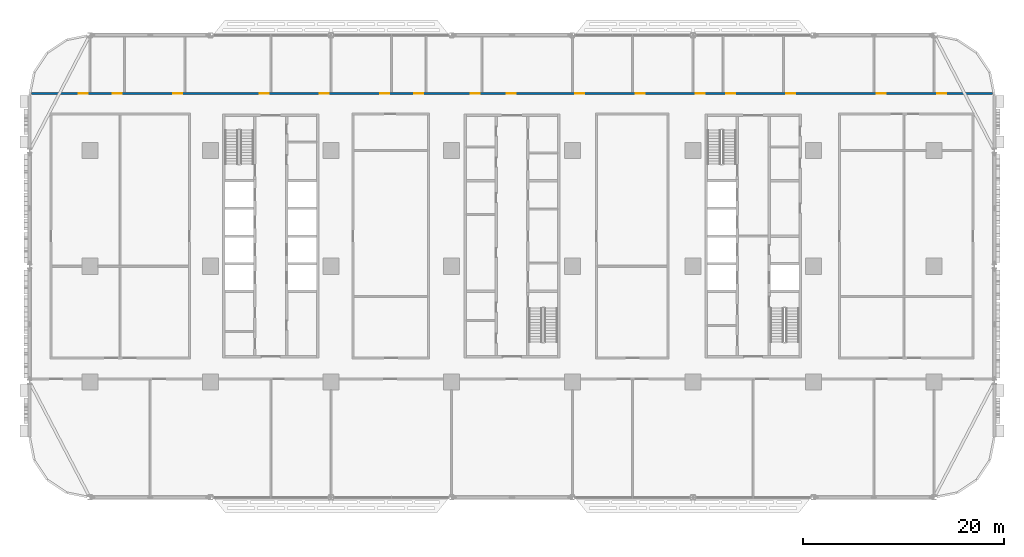
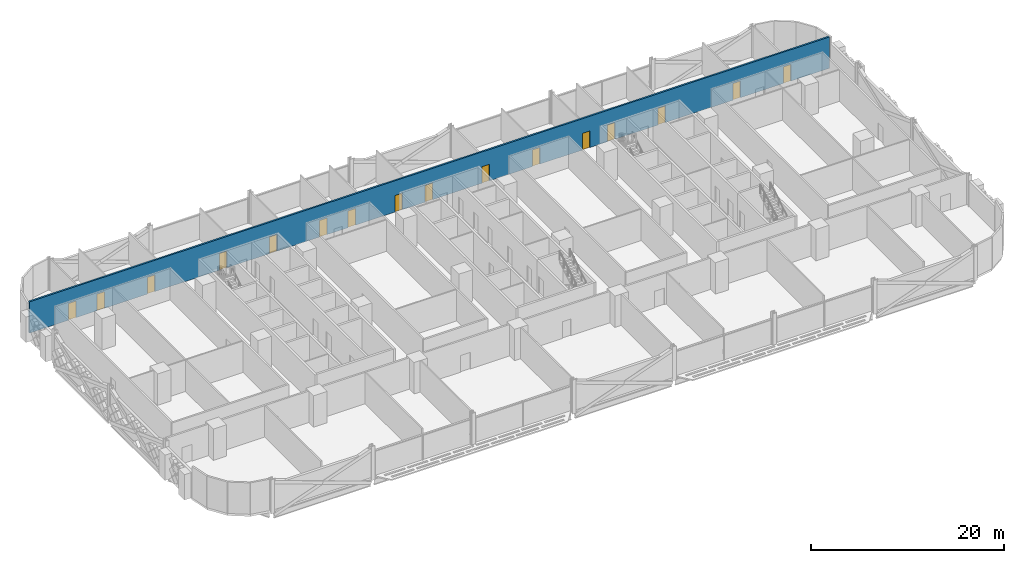
# One storey, part 13 of 28: 16 doors, 1 wall, 16 openings.
"""IFC4 building model written with IfcOpenShell, lengths in metres."""

from ifc_helpers import new_model, si_unit, direction, frame, frame_2d, origin, place, context, subcontext, project, spatial, rectangle, extrude, material, layer, layer_set, type_object, element, fill, save


model = new_model("IFC4")

# Units and contexts
model_context = context("Model", 3, precision=1e-05, world=origin(), true_north=direction((0.0, 1.0)))
body_context = subcontext(model_context, "Body", "Model", "MODEL_VIEW")
ifc_project = project(units=[si_unit("LENGTHUNIT", "METRE"), si_unit("AREAUNIT", "SQUARE_METRE"), si_unit("VOLUMEUNIT", "CUBIC_METRE"), si_unit("PLANEANGLEUNIT", "RADIAN"), si_unit("MASSUNIT", "GRAM", prefix="KILO")], contexts=[model_context])

# Site, building, storey
site_placement = place(None, origin())
site = spatial("IfcSite", under=ifc_project, at=site_placement, CompositionType="ELEMENT")
building_placement = place(site_placement, origin())
building = spatial("IfcBuilding", under=site, at=building_placement, Name="Mahtab Terrace Research Tower", CompositionType="ELEMENT")
storey_placement = place(building_placement, frame((0.0, 0.0, 33.0)))
storey = spatial("IfcBuildingStorey", under=building, at=storey_placement, Name="L07", CompositionType="ELEMENT", Elevation=33.0)

# Wall, openings, doors
ifc_material_1 = material(Name="Gypsum board corridor wall on steel studs", Category="steel")
ifc_layer = layer(ifc_material_1, 0.199951171875)
ifc_layer_set = layer_set([ifc_layer], Name="WALL CORRIDOR 200")
wall_type = type_object("IfcWallType", Name="WALL CORRIDOR 200", PredefinedType="PARTITIONING", material=ifc_layer_set)
wall_placement = place(storey_placement, frame((-47.807373046875, 17.199951171875, 0.0), z_axis=(0.0, 0.0, 1.0), x_axis=(1.0, 0.0, 0.0)))
wall = element("IfcWall", 1, at=wall_placement, inside=storey, type_object=wall_type, Name="L07-W026", PredefinedType="PARTITIONING", context=body_context, shape_type="SweptSolid", body=[
    extrude(rectangle(XDim=95.61474609375, YDim=0.199951171875, at=frame_2d((47.807373046875, 0.0))), origin(), (0.0, 0.0, 1.0), 3.9599609375),
])
opening_1_placement = place(wall_placement, frame((4.699951171875, 0.0, 0.0)))
opening_1 = element("IfcOpeningElement", 2, at=opening_1_placement, cuts=wall, Name="Opening L07-126", PredefinedType="OPENING", context=body_context, shape_type="SweptSolid", body=[
    extrude(rectangle(XDim=0.89990234375, YDim=2.10009765625, at=frame_2d((0.449951171875, 1.050048828125))), frame((0.0, 0.10986328125, 0.0), z_axis=(0.0, -1.0, 0.0), x_axis=(1.0, 0.0, 0.0)), (0.0, 0.0, 1.0), 0.219970703125),
])
opening_2_placement = place(wall_placement, frame((8.10009765625, 0.0, 0.0)))
opening_2 = element("IfcOpeningElement", 3, at=opening_2_placement, cuts=wall, Name="Opening L07-127", PredefinedType="OPENING", context=body_context, shape_type="SweptSolid", body=[
    extrude(rectangle(XDim=0.89990234375, YDim=2.10009765625, at=frame_2d((0.449951171875, 1.050048828125))), frame((0.0, 0.10986328125, 0.0), z_axis=(0.0, -1.0, 0.0), x_axis=(1.0, 0.0, 0.0)), (0.0, 0.0, 1.0), 0.219970703125),
])
opening_3_placement = place(wall_placement, frame((14.10009765625, 0.0, 0.0)))
opening_3 = element("IfcOpeningElement", 4, at=opening_3_placement, cuts=wall, Name="Opening L07-128", PredefinedType="OPENING", context=body_context, shape_type="SweptSolid", body=[
    extrude(rectangle(XDim=0.89990234375, YDim=2.10009765625, at=frame_2d((0.449951171875, 1.050048828125))), frame((0.0, 0.10986328125, 0.0), z_axis=(0.0, -1.0, 0.0), x_axis=(1.0, 0.0, 0.0)), (0.0, 0.0, 1.0), 0.219970703125),
])
opening_4_placement = place(wall_placement, frame((22.699951171875, 0.0, 0.0)))
opening_4 = element("IfcOpeningElement", 5, at=opening_4_placement, cuts=wall, Name="Opening L07-129", PredefinedType="OPENING", context=body_context, shape_type="SweptSolid", body=[
    extrude(rectangle(XDim=0.89990234375, YDim=2.10009765625, at=frame_2d((0.449951171875, 1.050048828125))), frame((0.0, 0.10986328125, 0.0), z_axis=(0.0, -1.0, 0.0), x_axis=(1.0, 0.0, 0.0)), (0.0, 0.0, 1.0), 0.219970703125),
])
opening_5_placement = place(wall_placement, frame((28.699951171875, 0.0, 0.0)))
opening_5 = element("IfcOpeningElement", 6, at=opening_5_placement, cuts=wall, Name="Opening L07-130", PredefinedType="OPENING", context=body_context, shape_type="SweptSolid", body=[
    extrude(rectangle(XDim=0.89990234375, YDim=2.10009765625, at=frame_2d((0.449951171875, 1.050048828125))), frame((0.0, 0.10986328125, 0.0), z_axis=(0.0, -1.0, 0.0), x_axis=(1.0, 0.0, 0.0)), (0.0, 0.0, 1.0), 0.219970703125),
])
opening_6_placement = place(wall_placement, frame((34.699951171875, 0.0, 0.0)))
opening_6 = element("IfcOpeningElement", 7, at=opening_6_placement, cuts=wall, Name="Opening L07-131", PredefinedType="OPENING", context=body_context, shape_type="SweptSolid", body=[
    extrude(rectangle(XDim=0.89990234375, YDim=2.10009765625, at=frame_2d((0.449951171875, 1.050048828125))), frame((0.0, 0.10986328125, 0.0), z_axis=(0.0, -1.0, 0.0), x_axis=(1.0, 0.0, 0.0)), (0.0, 0.0, 1.0), 0.219970703125),
])
opening_7_placement = place(wall_placement, frame((38.10009765625, 0.0, 0.0)))
opening_7 = element("IfcOpeningElement", 8, at=opening_7_placement, cuts=wall, Name="Opening L07-132", PredefinedType="OPENING", context=body_context, shape_type="SweptSolid", body=[
    extrude(rectangle(XDim=0.89990234375, YDim=2.10009765625, at=frame_2d((0.449951171875, 1.050048828125))), frame((0.0, 0.10986328125, 0.0), z_axis=(0.0, -1.0, 0.0), x_axis=(1.0, 0.0, 0.0)), (0.0, 0.0, 1.0), 0.219970703125),
])
opening_8_placement = place(wall_placement, frame((43.699951171875, 0.0, 0.0)))
opening_8 = element("IfcOpeningElement", 9, at=opening_8_placement, cuts=wall, Name="Opening L07-133", PredefinedType="OPENING", context=body_context, shape_type="SweptSolid", body=[
    extrude(rectangle(XDim=0.89990234375, YDim=2.10009765625, at=frame_2d((0.449951171875, 1.050048828125))), frame((0.0, 0.10986328125, 0.0), z_axis=(0.0, -1.0, 0.0), x_axis=(1.0, 0.0, 0.0)), (0.0, 0.0, 1.0), 0.219970703125),
])
opening_9_placement = place(wall_placement, frame((47.300048828125, 0.0, 0.0)))
opening_9 = element("IfcOpeningElement", 10, at=opening_9_placement, cuts=wall, Name="Opening L07-134", PredefinedType="OPENING", context=body_context, shape_type="SweptSolid", body=[
    extrude(rectangle(XDim=0.89990234375, YDim=2.10009765625, at=frame_2d((0.449951171875, 1.050048828125))), frame((0.0, 0.10986328125, 0.0), z_axis=(0.0, -1.0, 0.0), x_axis=(1.0, 0.0, 0.0)), (0.0, 0.0, 1.0), 0.219970703125),
])
opening_10_placement = place(wall_placement, frame((54.10009765625, 0.0, 0.0)))
opening_10 = element("IfcOpeningElement", 11, at=opening_10_placement, cuts=wall, Name="Opening L07-135", PredefinedType="OPENING", context=body_context, shape_type="SweptSolid", body=[
    extrude(rectangle(XDim=0.89990234375, YDim=2.10009765625, at=frame_2d((0.449951171875, 1.050048828125))), frame((0.0, 0.10986328125, 0.0), z_axis=(0.0, -1.0, 0.0), x_axis=(1.0, 0.0, 0.0)), (0.0, 0.0, 1.0), 0.219970703125),
])
opening_11_placement = place(wall_placement, frame((60.10009765625, 0.0, 0.0)))
opening_11 = element("IfcOpeningElement", 12, at=opening_11_placement, cuts=wall, Name="Opening L07-136", PredefinedType="OPENING", context=body_context, shape_type="SweptSolid", body=[
    extrude(rectangle(XDim=0.89990234375, YDim=2.10009765625, at=frame_2d((0.449951171875, 1.050048828125))), frame((0.0, 0.10986328125, 0.0), z_axis=(0.0, -1.0, 0.0), x_axis=(1.0, 0.0, 0.0)), (0.0, 0.0, 1.0), 0.219970703125),
])
opening_12_placement = place(wall_placement, frame((66.10009765625, 0.0, 0.0)))
opening_12 = element("IfcOpeningElement", 13, at=opening_12_placement, cuts=wall, Name="Opening L07-137", PredefinedType="OPENING", context=body_context, shape_type="SweptSolid", body=[
    extrude(rectangle(XDim=0.89990234375, YDim=2.10009765625, at=frame_2d((0.449951171875, 1.050048828125))), frame((0.0, 0.10986328125, 0.0), z_axis=(0.0, -1.0, 0.0), x_axis=(1.0, 0.0, 0.0)), (0.0, 0.0, 1.0), 0.219970703125),
])
opening_13_placement = place(wall_placement, frame((69.10009765625, 0.0, 0.0)))
opening_13 = element("IfcOpeningElement", 14, at=opening_13_placement, cuts=wall, Name="Opening L07-138", PredefinedType="OPENING", context=body_context, shape_type="SweptSolid", body=[
    extrude(rectangle(XDim=0.89990234375, YDim=2.10009765625, at=frame_2d((0.449951171875, 1.050048828125))), frame((0.0, 0.10986328125, 0.0), z_axis=(0.0, -1.0, 0.0), x_axis=(1.0, 0.0, 0.0)), (0.0, 0.0, 1.0), 0.219970703125),
])
opening_14_placement = place(wall_placement, frame((75.10009765625, 0.0, 0.0)))
opening_14 = element("IfcOpeningElement", 15, at=opening_14_placement, cuts=wall, Name="Opening L07-139", PredefinedType="OPENING", context=body_context, shape_type="SweptSolid", body=[
    extrude(rectangle(XDim=0.89990234375, YDim=2.10009765625, at=frame_2d((0.449951171875, 1.050048828125))), frame((0.0, 0.10986328125, 0.0), z_axis=(0.0, -1.0, 0.0), x_axis=(1.0, 0.0, 0.0)), (0.0, 0.0, 1.0), 0.219970703125),
])
opening_15_placement = place(wall_placement, frame((84.10009765625, 0.0, 0.0)))
opening_15 = element("IfcOpeningElement", 16, at=opening_15_placement, cuts=wall, Name="Opening L07-140", PredefinedType="OPENING", context=body_context, shape_type="SweptSolid", body=[
    extrude(rectangle(XDim=0.89990234375, YDim=2.10009765625, at=frame_2d((0.449951171875, 1.050048828125))), frame((0.0, 0.10986328125, 0.0), z_axis=(0.0, -1.0, 0.0), x_axis=(1.0, 0.0, 0.0)), (0.0, 0.0, 1.0), 0.219970703125),
])
opening_16_placement = place(wall_placement, frame((90.10009765625, 0.0, 0.0)))
opening_16 = element("IfcOpeningElement", 17, at=opening_16_placement, cuts=wall, Name="Opening L07-141", PredefinedType="OPENING", context=body_context, shape_type="SweptSolid", body=[
    extrude(rectangle(XDim=0.89990234375, YDim=2.10009765625, at=frame_2d((0.449951171875, 1.050048828125))), frame((0.0, 0.10986328125, 0.0), z_axis=(0.0, -1.0, 0.0), x_axis=(1.0, 0.0, 0.0)), (0.0, 0.0, 1.0), 0.219970703125),
])
ifc_material_2 = material(Name="Timber door leaf in steel frame", Category="steel")
door_type = type_object("IfcDoorType", Name="DOOR 0900X2100 FD30S", OperationType="SINGLE_SWING_LEFT", PredefinedType="DOOR", material=ifc_material_2)
door_1_placement = place(opening_1_placement, origin())
door_1 = element("IfcDoor", 18, at=door_1_placement, inside=storey, type_object=door_type, Name="Door L07-126", OperationType="SINGLE_SWING_LEFT", OverallHeight=2.10009765625, OverallWidth=0.89990234375, PredefinedType="DOOR", context=body_context, shape_type="SweptSolid", body=[
    extrude(rectangle(XDim=0.89990234375, YDim=2.10009765625, at=frame_2d((0.449951171875, 1.050048828125))), frame((0.0, 0.02490234375, 0.0), z_axis=(0.0, -1.0, 0.0), x_axis=(1.0, 0.0, 0.0)), (0.0, 0.0, 1.0), 0.050048828125),
])
fill(opening_1, door_1)
door_2_placement = place(opening_2_placement, origin())
door_2 = element("IfcDoor", 19, at=door_2_placement, inside=storey, type_object=door_type, Name="Door L07-127", OperationType="SINGLE_SWING_LEFT", OverallHeight=2.10009765625, OverallWidth=0.89990234375, PredefinedType="DOOR", context=body_context, shape_type="SweptSolid", body=[
    extrude(rectangle(XDim=0.89990234375, YDim=2.10009765625, at=frame_2d((0.449951171875, 1.050048828125))), frame((0.0, 0.02490234375, 0.0), z_axis=(0.0, -1.0, 0.0), x_axis=(1.0, 0.0, 0.0)), (0.0, 0.0, 1.0), 0.050048828125),
])
fill(opening_2, door_2)
door_3_placement = place(opening_3_placement, origin())
door_3 = element("IfcDoor", 20, at=door_3_placement, inside=storey, type_object=door_type, Name="Door L07-128", OperationType="SINGLE_SWING_LEFT", OverallHeight=2.10009765625, OverallWidth=0.89990234375, PredefinedType="DOOR", context=body_context, shape_type="SweptSolid", body=[
    extrude(rectangle(XDim=0.89990234375, YDim=2.10009765625, at=frame_2d((0.449951171875, 1.050048828125))), frame((0.0, 0.02490234375, 0.0), z_axis=(0.0, -1.0, 0.0), x_axis=(1.0, 0.0, 0.0)), (0.0, 0.0, 1.0), 0.050048828125),
])
fill(opening_3, door_3)
door_4_placement = place(opening_4_placement, origin())
door_4 = element("IfcDoor", 21, at=door_4_placement, inside=storey, type_object=door_type, Name="Door L07-129", OperationType="SINGLE_SWING_LEFT", OverallHeight=2.10009765625, OverallWidth=0.89990234375, PredefinedType="DOOR", context=body_context, shape_type="SweptSolid", body=[
    extrude(rectangle(XDim=0.89990234375, YDim=2.10009765625, at=frame_2d((0.449951171875, 1.050048828125))), frame((0.0, 0.02490234375, 0.0), z_axis=(0.0, -1.0, 0.0), x_axis=(1.0, 0.0, 0.0)), (0.0, 0.0, 1.0), 0.050048828125),
])
fill(opening_4, door_4)
door_5_placement = place(opening_5_placement, origin())
door_5 = element("IfcDoor", 22, at=door_5_placement, inside=storey, type_object=door_type, Name="Door L07-130", OperationType="SINGLE_SWING_LEFT", OverallHeight=2.10009765625, OverallWidth=0.89990234375, PredefinedType="DOOR", context=body_context, shape_type="SweptSolid", body=[
    extrude(rectangle(XDim=0.89990234375, YDim=2.10009765625, at=frame_2d((0.449951171875, 1.050048828125))), frame((0.0, 0.02490234375, 0.0), z_axis=(0.0, -1.0, 0.0), x_axis=(1.0, 0.0, 0.0)), (0.0, 0.0, 1.0), 0.050048828125),
])
fill(opening_5, door_5)
door_6_placement = place(opening_6_placement, origin())
door_6 = element("IfcDoor", 23, at=door_6_placement, inside=storey, type_object=door_type, Name="Door L07-131", OperationType="SINGLE_SWING_LEFT", OverallHeight=2.10009765625, OverallWidth=0.89990234375, PredefinedType="DOOR", context=body_context, shape_type="SweptSolid", body=[
    extrude(rectangle(XDim=0.89990234375, YDim=2.10009765625, at=frame_2d((0.449951171875, 1.050048828125))), frame((0.0, 0.02490234375, 0.0), z_axis=(0.0, -1.0, 0.0), x_axis=(1.0, 0.0, 0.0)), (0.0, 0.0, 1.0), 0.050048828125),
])
fill(opening_6, door_6)
door_7_placement = place(opening_7_placement, origin())
door_7 = element("IfcDoor", 24, at=door_7_placement, inside=storey, type_object=door_type, Name="Door L07-132", OperationType="SINGLE_SWING_LEFT", OverallHeight=2.10009765625, OverallWidth=0.89990234375, PredefinedType="DOOR", context=body_context, shape_type="SweptSolid", body=[
    extrude(rectangle(XDim=0.89990234375, YDim=2.10009765625, at=frame_2d((0.449951171875, 1.050048828125))), frame((0.0, 0.02490234375, 0.0), z_axis=(0.0, -1.0, 0.0), x_axis=(1.0, 0.0, 0.0)), (0.0, 0.0, 1.0), 0.050048828125),
])
fill(opening_7, door_7)
door_8_placement = place(opening_8_placement, origin())
door_8 = element("IfcDoor", 25, at=door_8_placement, inside=storey, type_object=door_type, Name="Door L07-133", OperationType="SINGLE_SWING_LEFT", OverallHeight=2.10009765625, OverallWidth=0.89990234375, PredefinedType="DOOR", context=body_context, shape_type="SweptSolid", body=[
    extrude(rectangle(XDim=0.89990234375, YDim=2.10009765625, at=frame_2d((0.449951171875, 1.050048828125))), frame((0.0, 0.02490234375, 0.0), z_axis=(0.0, -1.0, 0.0), x_axis=(1.0, 0.0, 0.0)), (0.0, 0.0, 1.0), 0.050048828125),
])
fill(opening_8, door_8)
door_9_placement = place(opening_9_placement, origin())
door_9 = element("IfcDoor", 26, at=door_9_placement, inside=storey, type_object=door_type, Name="Door L07-134", OperationType="SINGLE_SWING_LEFT", OverallHeight=2.10009765625, OverallWidth=0.89990234375, PredefinedType="DOOR", context=body_context, shape_type="SweptSolid", body=[
    extrude(rectangle(XDim=0.89990234375, YDim=2.10009765625, at=frame_2d((0.449951171875, 1.050048828125))), frame((0.0, 0.02490234375, 0.0), z_axis=(0.0, -1.0, 0.0), x_axis=(1.0, 0.0, 0.0)), (0.0, 0.0, 1.0), 0.050048828125),
])
fill(opening_9, door_9)
door_10_placement = place(opening_10_placement, origin())
door_10 = element("IfcDoor", 27, at=door_10_placement, inside=storey, type_object=door_type, Name="Door L07-135", OperationType="SINGLE_SWING_RIGHT", OverallHeight=2.10009765625, OverallWidth=0.89990234375, PredefinedType="DOOR", context=body_context, shape_type="SweptSolid", body=[
    extrude(rectangle(XDim=0.89990234375, YDim=2.10009765625, at=frame_2d((0.449951171875, 1.050048828125))), frame((0.0, 0.02490234375, 0.0), z_axis=(0.0, -1.0, 0.0), x_axis=(1.0, 0.0, 0.0)), (0.0, 0.0, 1.0), 0.050048828125),
])
fill(opening_10, door_10)
door_11_placement = place(opening_11_placement, origin())
door_11 = element("IfcDoor", 28, at=door_11_placement, inside=storey, type_object=door_type, Name="Door L07-136", OperationType="SINGLE_SWING_RIGHT", OverallHeight=2.10009765625, OverallWidth=0.89990234375, PredefinedType="DOOR", context=body_context, shape_type="SweptSolid", body=[
    extrude(rectangle(XDim=0.89990234375, YDim=2.10009765625, at=frame_2d((0.449951171875, 1.050048828125))), frame((0.0, 0.02490234375, 0.0), z_axis=(0.0, -1.0, 0.0), x_axis=(1.0, 0.0, 0.0)), (0.0, 0.0, 1.0), 0.050048828125),
])
fill(opening_11, door_11)
door_12_placement = place(opening_12_placement, origin())
door_12 = element("IfcDoor", 29, at=door_12_placement, inside=storey, type_object=door_type, Name="Door L07-137", OperationType="SINGLE_SWING_RIGHT", OverallHeight=2.10009765625, OverallWidth=0.89990234375, PredefinedType="DOOR", context=body_context, shape_type="SweptSolid", body=[
    extrude(rectangle(XDim=0.89990234375, YDim=2.10009765625, at=frame_2d((0.449951171875, 1.050048828125))), frame((0.0, 0.02490234375, 0.0), z_axis=(0.0, -1.0, 0.0), x_axis=(1.0, 0.0, 0.0)), (0.0, 0.0, 1.0), 0.050048828125),
])
fill(opening_12, door_12)
door_13_placement = place(opening_13_placement, origin())
door_13 = element("IfcDoor", 30, at=door_13_placement, inside=storey, type_object=door_type, Name="Door L07-138", OperationType="SINGLE_SWING_RIGHT", OverallHeight=2.10009765625, OverallWidth=0.89990234375, PredefinedType="DOOR", context=body_context, shape_type="SweptSolid", body=[
    extrude(rectangle(XDim=0.89990234375, YDim=2.10009765625, at=frame_2d((0.449951171875, 1.050048828125))), frame((0.0, 0.02490234375, 0.0), z_axis=(0.0, -1.0, 0.0), x_axis=(1.0, 0.0, 0.0)), (0.0, 0.0, 1.0), 0.050048828125),
])
fill(opening_13, door_13)
door_14_placement = place(opening_14_placement, origin())
door_14 = element("IfcDoor", 31, at=door_14_placement, inside=storey, type_object=door_type, Name="Door L07-139", OperationType="SINGLE_SWING_RIGHT", OverallHeight=2.10009765625, OverallWidth=0.89990234375, PredefinedType="DOOR", context=body_context, shape_type="SweptSolid", body=[
    extrude(rectangle(XDim=0.89990234375, YDim=2.10009765625, at=frame_2d((0.449951171875, 1.050048828125))), frame((0.0, 0.02490234375, 0.0), z_axis=(0.0, -1.0, 0.0), x_axis=(1.0, 0.0, 0.0)), (0.0, 0.0, 1.0), 0.050048828125),
])
fill(opening_14, door_14)
door_15_placement = place(opening_15_placement, origin())
door_15 = element("IfcDoor", 32, at=door_15_placement, inside=storey, type_object=door_type, Name="Door L07-140", OperationType="SINGLE_SWING_RIGHT", OverallHeight=2.10009765625, OverallWidth=0.89990234375, PredefinedType="DOOR", context=body_context, shape_type="SweptSolid", body=[
    extrude(rectangle(XDim=0.89990234375, YDim=2.10009765625, at=frame_2d((0.449951171875, 1.050048828125))), frame((0.0, 0.02490234375, 0.0), z_axis=(0.0, -1.0, 0.0), x_axis=(1.0, 0.0, 0.0)), (0.0, 0.0, 1.0), 0.050048828125),
])
fill(opening_15, door_15)
door_16_placement = place(opening_16_placement, origin())
door_16 = element("IfcDoor", 33, at=door_16_placement, inside=storey, type_object=door_type, Name="Door L07-141", OperationType="SINGLE_SWING_RIGHT", OverallHeight=2.10009765625, OverallWidth=0.89990234375, PredefinedType="DOOR", context=body_context, shape_type="SweptSolid", body=[
    extrude(rectangle(XDim=0.89990234375, YDim=2.10009765625, at=frame_2d((0.449951171875, 1.050048828125))), frame((0.0, 0.02490234375, 0.0), z_axis=(0.0, -1.0, 0.0), x_axis=(1.0, 0.0, 0.0)), (0.0, 0.0, 1.0), 0.050048828125),
])
fill(opening_16, door_16)

save(model, "model.ifc")
